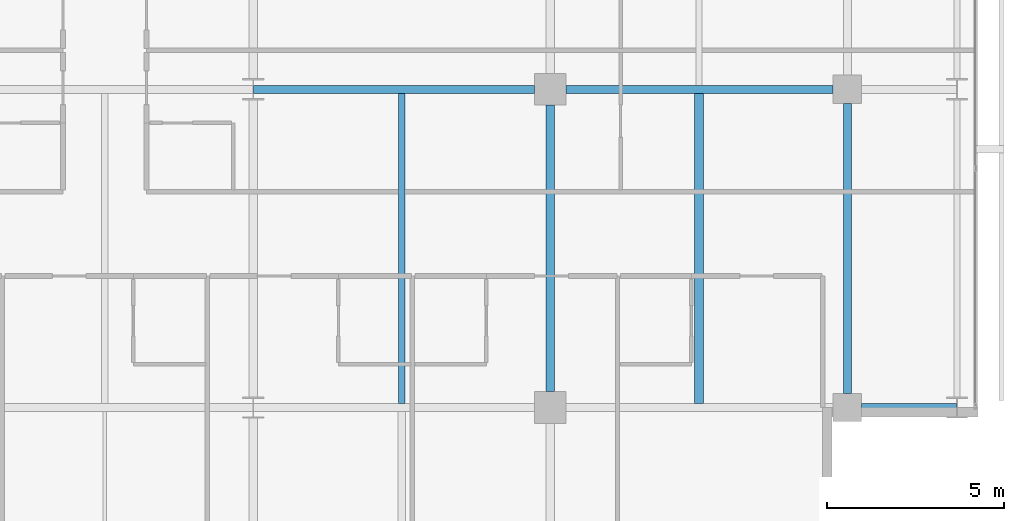
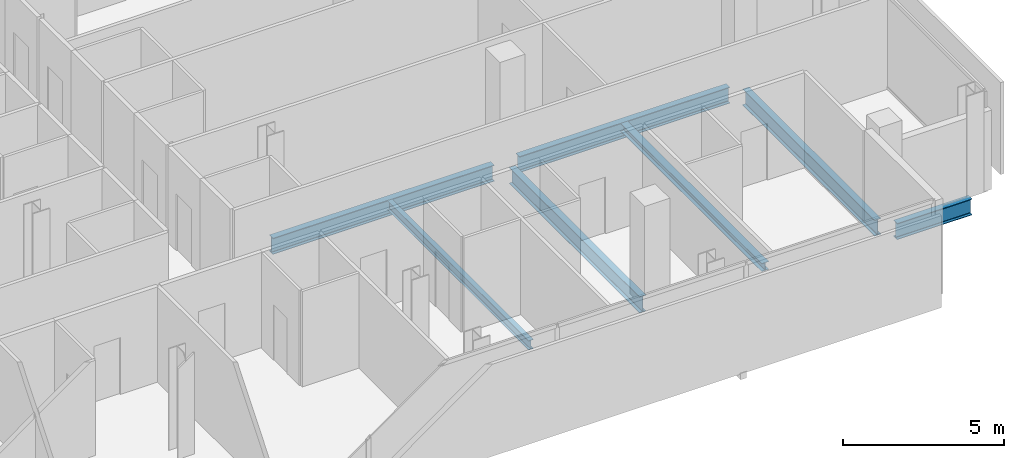
# One storey, part 14 of 34: 7 beams.
"""IFC4 building model written with IfcOpenShell, lengths in metres."""

from ifc_helpers import new_model, si_unit, direction, frame, origin, origin_2d, place, context, subcontext, project, spatial, i_section, extrude, material, material_profile, profile_set, type_object, element, save


model = new_model("IFC4")

# Units and contexts
model_context = context("Model", 3, precision=1e-05, world=origin(), true_north=direction((0.0, 1.0)))
body_context = subcontext(model_context, "Body", "Model", "MODEL_VIEW")
ifc_project = project(units=[si_unit("LENGTHUNIT", "METRE"), si_unit("AREAUNIT", "SQUARE_METRE"), si_unit("VOLUMEUNIT", "CUBIC_METRE"), si_unit("PLANEANGLEUNIT", "RADIAN"), si_unit("MASSUNIT", "GRAM", prefix="KILO")], contexts=[model_context])

# Site, building, storey
site_placement = place(None, origin())
site = spatial("IfcSite", under=ifc_project, at=site_placement, CompositionType="ELEMENT")
building_placement = place(site_placement, origin())
building = spatial("IfcBuilding", under=site, at=building_placement, Name="Maruvema Waterfront Hotel and Observation Tower", CompositionType="ELEMENT")
storey_placement = place(building_placement, frame((0.0, 0.0, 135.10009765625)))
storey = spatial("IfcBuildingStorey", under=building, at=storey_placement, Name="L32", CompositionType="ELEMENT", Elevation=135.10009765625)

# Beams
ifc_material_1 = material(Name="Steel ASTM A572 Grade 50", Category="steel")
ifc_material_profile_1 = material_profile(ifc_material_1, i_section(OverallWidth=0.22900390625, OverallDepth=0.612060546875, WebThickness=0.011962890625, FlangeThickness=0.01953125, FilletRadius=0.01806640625, at=origin_2d()), Name="W610x125.0")
ifc_profile_set_1 = profile_set([ifc_material_profile_1], Name="Steel ASTM A572 Grade 50")
beam_type_1 = type_object("IfcBeamType", Name="Primary Floor Girder W610x125.0", PredefinedType="BEAM", material=ifc_profile_set_1)
beam_1_placement = place(storey_placement, frame((59.199951171875, 9.0, -0.546142578125), z_axis=(1.0, 0.0, 0.0), x_axis=(0.0, 1.0, 0.0)))
element("IfcBeam", 1, at=beam_1_placement, inside=storey, type_object=beam_type_1, Name="L32 Floor Girder EW-10", PredefinedType="BEAM", context=body_context, shape_type="SweptSolid", body=[
    extrude(i_section(OverallWidth=0.22900390625, OverallDepth=0.612060546875, WebThickness=0.011962890625, FlangeThickness=0.01953125, FilletRadius=0.01806640625, at=origin_2d()), origin(), (0.0, 0.0, 1.0), 2.6875),
])
beam_2_placement = place(storey_placement, frame((42.012451171875, 18.0, -0.546142578125), z_axis=(1.0, 0.0, 0.0), x_axis=(0.0, 1.0, 0.0)))
element("IfcBeam", 2, at=beam_2_placement, inside=storey, type_object=beam_type_1, Name="L32 Floor Girder EW-15", PredefinedType="BEAM", context=body_context, shape_type="SweptSolid", body=[
    extrude(i_section(OverallWidth=0.22900390625, OverallDepth=0.612060546875, WebThickness=0.011962890625, FlangeThickness=0.01953125, FilletRadius=0.01806640625, at=origin_2d()), origin(), (0.0, 0.0, 1.0), 7.9375),
])
beam_3_placement = place(storey_placement, frame((50.85009765625, 18.0, -0.546142578125), z_axis=(1.0, 0.0, 0.0), x_axis=(0.0, 1.0, 0.0)))
element("IfcBeam", 3, at=beam_3_placement, inside=storey, type_object=beam_type_1, Name="L32 Floor Girder EW-16", PredefinedType="BEAM", context=body_context, shape_type="SweptSolid", body=[
    extrude(i_section(OverallWidth=0.22900390625, OverallDepth=0.612060546875, WebThickness=0.011962890625, FlangeThickness=0.01953125, FilletRadius=0.01806640625, at=origin_2d()), origin(), (0.0, 0.0, 1.0), 7.5498046875),
])
beam_4_placement = place(storey_placement, frame((50.39990234375, 9.449951171875, -0.546142578125), z_axis=(0.0, 1.0, 0.0), x_axis=(-1.0, 0.0, 0.0)))
element("IfcBeam", 4, at=beam_4_placement, inside=storey, type_object=beam_type_1, Name="L32 Floor Girder NS-21", PredefinedType="BEAM", context=body_context, shape_type="SweptSolid", body=[
    extrude(i_section(OverallWidth=0.22900390625, OverallDepth=0.612060546875, WebThickness=0.011962890625, FlangeThickness=0.01953125, FilletRadius=0.01806640625, at=origin_2d()), origin(), (0.0, 0.0, 1.0), 8.10009765625),
])
beam_5_placement = place(storey_placement, frame((58.800048828125, 9.39990234375, -0.546142578125), z_axis=(0.0, 1.0, 0.0), x_axis=(-1.0, 0.0, 0.0)))
element("IfcBeam", 5, at=beam_5_placement, inside=storey, type_object=beam_type_1, Name="L32 Floor Girder NS-25", PredefinedType="BEAM", context=body_context, shape_type="SweptSolid", body=[
    extrude(i_section(OverallWidth=0.22900390625, OverallDepth=0.612060546875, WebThickness=0.011962890625, FlangeThickness=0.01953125, FilletRadius=0.01806640625, at=origin_2d()), origin(), (0.0, 0.0, 1.0), 8.2001953125),
])
ifc_material_2 = material(Name="Steel ASTM A572 Grade 50", Category="steel")
ifc_material_profile_2 = material_profile(ifc_material_2, i_section(OverallWidth=0.25390625, OverallDepth=0.305908203125, WebThickness=0.0087890625, FlangeThickness=0.0146484375, FilletRadius=0.014892578125, at=origin_2d()), Name="W310x79.0")
ifc_profile_set_2 = profile_set([ifc_material_profile_2], Name="Steel ASTM A572 Grade 50")
beam_type_2 = type_object("IfcBeamType", Name="Secondary Floor Joist W310x79.0", PredefinedType="JOIST", material=ifc_profile_set_2)
beam_6_placement = place(storey_placement, frame((54.60009765625, 9.114501953125, -0.39306640625), z_axis=(0.0, 1.0, 0.0), x_axis=(-1.0, 0.0, 0.0)))
element("IfcBeam", 6, at=beam_6_placement, inside=storey, type_object=beam_type_2, Name="L32 Secondary Floor Joist JS-11", PredefinedType="JOIST", context=body_context, shape_type="SweptSolid", body=[
    extrude(i_section(OverallWidth=0.25390625, OverallDepth=0.305908203125, WebThickness=0.0087890625, FlangeThickness=0.0146484375, FilletRadius=0.014892578125, at=origin_2d()), origin(), (0.0, 0.0, 1.0), 8.77099609375),
])
ifc_material_3 = material(Name="Steel ASTM A572 Grade 50", Category="steel")
ifc_material_profile_3 = material_profile(ifc_material_3, i_section(OverallWidth=0.1708984375, OverallDepth=0.35498046875, WebThickness=0.007080078125, FlangeThickness=0.01171875, FilletRadius=0.014892578125, at=origin_2d()), Name="W360x51.0")
ifc_profile_set_3 = profile_set([ifc_material_profile_3], Name="Steel ASTM A572 Grade 50")
beam_type_3 = type_object("IfcBeamType", Name="Secondary Floor Joist W360x51.0", PredefinedType="JOIST", material=ifc_profile_set_3)
beam_7_placement = place(storey_placement, frame((46.199951171875, 9.114501953125, -0.41748046875), z_axis=(0.0, 1.0, 0.0), x_axis=(-1.0, 0.0, 0.0)))
element("IfcBeam", 7, at=beam_7_placement, inside=storey, type_object=beam_type_3, Name="L32 Secondary Floor Joist JS-10", PredefinedType="JOIST", context=body_context, shape_type="SweptSolid", body=[
    extrude(i_section(OverallWidth=0.1708984375, OverallDepth=0.35498046875, WebThickness=0.007080078125, FlangeThickness=0.01171875, FilletRadius=0.014892578125, at=origin_2d()), origin(), (0.0, 0.0, 1.0), 8.77099609375),
])

save(model, "model.ifc")
